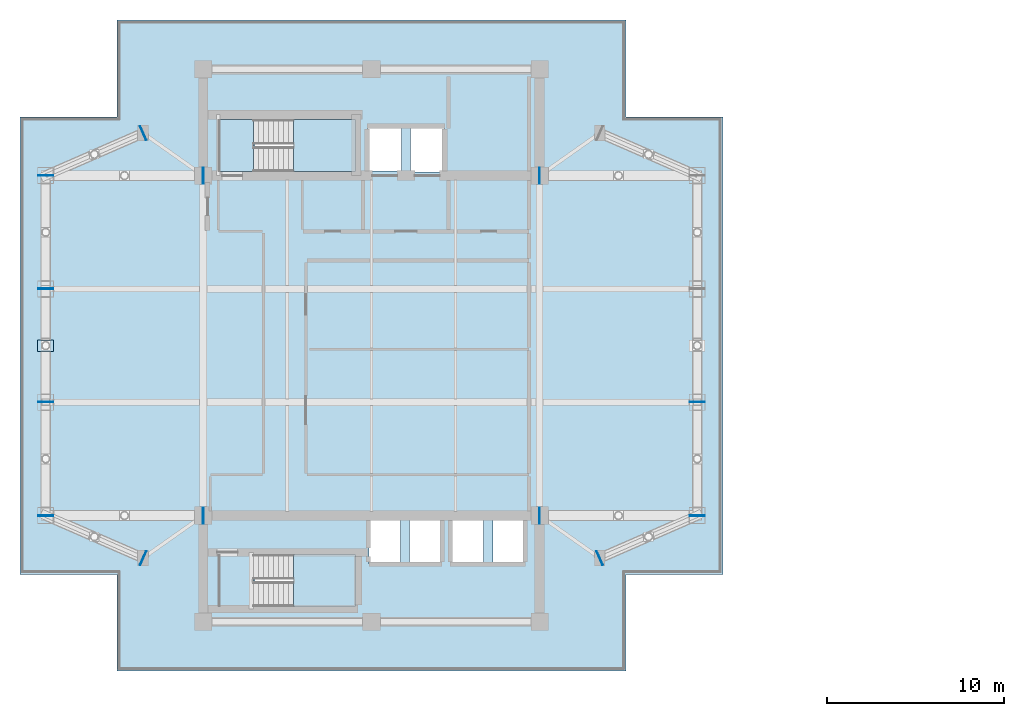
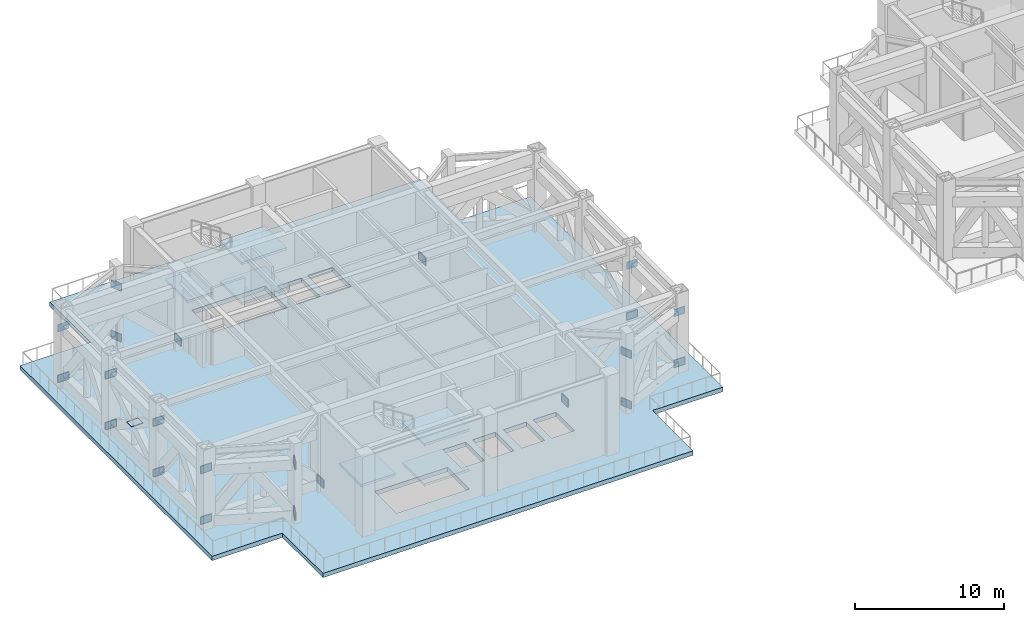
# One storey, part 6 of 18: 23 plates, 7 slabs, 2 elements without a shape of their own.
"""IFC4 building model written with IfcOpenShell, lengths in metres."""

from ifc_helpers import new_model, si_unit, direction, frame, origin, origin_2d, place, context, subcontext, project, spatial, polyline, rectangle, outline, extrude, material, layer, layer_set, type_object, element, aggregate, save


model = new_model("IFC4")

# Units and contexts
model_context = context("Model", 3, precision=1e-05, world=origin(), true_north=direction((0.0, 1.0)))
body_context = subcontext(model_context, "Body", "Model", "MODEL_VIEW")
ifc_project = project(units=[si_unit("LENGTHUNIT", "METRE"), si_unit("AREAUNIT", "SQUARE_METRE"), si_unit("VOLUMEUNIT", "CUBIC_METRE"), si_unit("PLANEANGLEUNIT", "RADIAN"), si_unit("MASSUNIT", "GRAM", prefix="KILO")], contexts=[model_context])

# Site, building, storey
site_placement = place(None, origin())
site = spatial("IfcSite", under=ifc_project, at=site_placement, CompositionType="ELEMENT")
building_placement = place(site_placement, origin())
building = spatial("IfcBuilding", under=site, at=building_placement, Name="Mirazonda Arch Towers", CompositionType="ELEMENT")
storey_placement = place(building_placement, frame((0.0, 0.0, 147.800048828125)))
storey = spatial("IfcBuildingStorey", under=building, at=storey_placement, Name="L42", CompositionType="ELEMENT", Elevation=147.800048828125)

# Plates
ifc_material_1 = material(Name="Steel ASTM A572 Grade 50", Category="steel")
ifc_layer_1 = layer(ifc_material_1, 0.035888671875, Name="PLATE-CAP-850x600x36")
ifc_layer_set_1 = layer_set([ifc_layer_1], Name="Steel ASTM A572 Grade 50")
plate_type_1 = type_object("IfcPlateType", Name="PLATE-CAP-850x600x36", PredefinedType="USERDEFINED", material=ifc_layer_set_1)
for number, where, z_axis, x_axis, name in (
    (1, (2.10009765625, 18.39208984375, 0.25), (0.0, 0.0, 1.0), (0.0, -1.0, 0.0), "Steel end closure plate NP-BLT-L42-T1-BC01A"),
    (2, (2.10009765625, 24.80810546875, 0.25), (0.0, 0.0, 1.0), (0.0, 1.0, 0.0), "Steel end closure plate NP-BLT-L42-T1-BC01B"),
    (3, (2.10009765625, 18.39208984375, 4.419921875), (0.0, 0.0, 1.0), (0.0, -1.0, 0.0), "Steel end closure plate NP-BLT-L42-T1-TC01A"),
    (4, (2.10009765625, 24.80810546875, 4.419921875), (0.0, 0.0, 1.0), (0.0, 1.0, 0.0), "Steel end closure plate NP-BLT-L42-T1-TC01B"),
    (5, (2.10009765625, 31.2080078125, 0.25), (0.0, 0.0, 1.0), (0.0, 1.0, 0.0), "Steel end closure plate NP-BLT-L42-T1-BC02B"),
    (6, (2.10009765625, 31.2080078125, 4.419921875), (0.0, 0.0, 1.0), (0.0, 1.0, 0.0), "Steel end closure plate NP-BLT-L42-T1-TC02B"),
    (7, (2.10009765625, 37.60791015625, 0.25), (0.0, 0.0, 1.0), (0.0, 1.0, 0.0), "Steel end closure plate NP-BLT-L42-T1-BC03B"),
    (8, (2.10009765625, 37.60791015625, 4.419921875), (0.0, 0.0, 1.0), (0.0, 1.0, 0.0), "Steel end closure plate NP-BLT-L42-T1-TC03B"),
    (9, (38.89990234375, 18.39208984375, 0.25), (0.0, 0.0, 1.0), (0.0, -1.0, 0.0), "Steel end closure plate NP-BLT-L42-T1-BC04A"),
    (10, (38.89990234375, 24.80810546875, 0.25), (0.0, 0.0, 1.0), (0.0, 1.0, 0.0), "Steel end closure plate NP-BLT-L42-T1-BC04B"),
    (11, (38.89990234375, 18.39208984375, 4.419921875), (0.0, 0.0, 1.0), (0.0, -1.0, 0.0), "Steel end closure plate NP-BLT-L42-T1-TC04A"),
    (12, (38.89990234375, 24.80810546875, 4.419921875), (0.0, 0.0, 1.0), (0.0, 1.0, 0.0), "Steel end closure plate NP-BLT-L42-T1-TC04B"),
    (13, (7.607421875, 15.996826171875, 0.25), (0.0, 0.0, 1.0), (0.916572226203, -0.399869171297, 0.0), "Steel end closure plate NP-BLT-L42-T1-BC07B"),
    (14, (7.607421875, 15.996826171875, 4.419921875), (0.0, 0.0, 1.0), (0.916572226203, -0.399869171297, 0.0), "Steel end closure plate NP-BLT-L42-T1-TC07B"),
    (15, (33.392578125, 15.996826171875, 0.25), (0.0, 0.0, 1.0), (-0.916572226203, -0.399869171297, 0.0), "Steel end closure plate NP-BLT-L42-T1-BC08A"),
    (16, (33.392578125, 15.996826171875, 4.419921875), (0.0, 0.0, 1.0), (-0.916572226203, -0.399869171297, 0.0), "Steel end closure plate NP-BLT-L42-T1-TC08A"),
    (17, (7.607421875, 40.003173828125, 0.25), (0.0, 0.0, 1.0), (0.916572226203, 0.399869171297, 0.0), "Steel end closure plate NP-BLT-L42-T1-BC09B"),
    (18, (7.607421875, 40.003173828125, 4.419921875), (0.0, 0.0, 1.0), (0.916572226203, 0.399869171297, 0.0), "Steel end closure plate NP-BLT-L42-T1-TC09B"),
):
    element("IfcPlate", number, at=place(storey_placement, frame(where, z_axis=z_axis, x_axis=x_axis)), inside=storey, type_object=plate_type_1, Name=name, ObjectType="CAP PLATE", PredefinedType="USERDEFINED", context=body_context, shape_type="SweptSolid", body=[
        extrude(rectangle(XDim=0.0400390625, YDim=0.85009765625, at=origin_2d()), origin(), (0.0, 0.0, 1.0), 0.60009765625),
    ])
ifc_layer_2 = layer(ifc_material_1, 0.031982421875, Name="PLATE-GUSSET-900x650x32")
ifc_layer_set_2 = layer_set([ifc_layer_2], Name="Steel ASTM A572 Grade 50")
plate_type_2 = type_object("IfcPlateType", Name="PLATE-GUSSET-900x650x32", PredefinedType="USERDEFINED", material=ifc_layer_set_2)
plate_placement = place(storey_placement, frame((2.10009765625, 28.0, 2.623046875), z_axis=(0.0, 0.0, 1.0), x_axis=(1.0, 0.0, 0.0)))
element("IfcPlate", 19, at=plate_placement, inside=storey, type_object=plate_type_2, Name="Steel end closure plate NP-BLT-L42-T1-XND02", ObjectType="GUSSET_PLATE", PredefinedType="USERDEFINED", context=body_context, shape_type="SweptSolid", body=[
    extrude(rectangle(XDim=0.89990234375, YDim=0.64990234375, at=origin_2d()), origin(), (0.0, 0.0, 1.0), 0.0400390625),
])
for number, where, z_axis, x_axis, name in (
    (20, (11.005859375, 18.39990234375, 0.219482421875), (0.0, 0.0, 1.0), (1.0, 0.0, 0.0), "Steel end closure plate NP-OUT-L42-T1-DG01B0"),
    (21, (29.994140625, 18.39990234375, 0.219482421875), (0.0, 0.0, 1.0), (-1.0, 0.0, 0.0), "Steel end closure plate NP-OUT-L42-T1-DG02A0"),
    (22, (11.005859375, 37.60009765625, 0.219482421875), (0.0, 0.0, 1.0), (1.0, 0.0, 0.0), "Steel end closure plate NP-OUT-L42-T1-DG03B0"),
    (23, (29.994140625, 37.60009765625, 0.219482421875), (0.0, 0.0, 1.0), (-1.0, 0.0, 0.0), "Steel end closure plate NP-OUT-L42-T1-DG04A0"),
):
    element("IfcPlate", number, at=place(storey_placement, frame(where, z_axis=z_axis, x_axis=x_axis)), inside=storey, type_object=plate_type_2, Name=name, ObjectType="GUSSET_PLATE", PredefinedType="USERDEFINED", context=body_context, shape_type="SweptSolid", body=[
        extrude(rectangle(XDim=0.0400390625, YDim=0.89990234375, at=origin_2d()), origin(), (0.0, 0.0, 1.0), 0.64990234375),
    ])

# Stair, slabs
ifc_material_2 = material(Name="Concrete C40/50", Category="concrete")
stair_type = type_object("IfcStairType", Name="STAIR-CORE-1400", PredefinedType="HALF_TURN_STAIR", material=ifc_material_2)
stair_1_placement = place(storey_placement, origin())
stair_1 = element("IfcStair", 24, at=stair_1_placement, inside=storey, type_object=stair_type, Name="L42 Protected Exit Stair ST-T1N", PredefinedType="HALF_TURN_STAIR")
ifc_layer_3 = layer(ifc_material_2, 0.18994140625, Name="SLAB-LANDING-190")
ifc_layer_set_3 = layer_set([ifc_layer_3], Name="Concrete C40/50")
slab_type_1 = type_object("IfcSlabType", Name="SLAB-LANDING-190", PredefinedType="LANDING", material=ifc_layer_set_3)
slab_1_placement = place(storey_placement, frame((0.0, 0.0, 1.449951171875)))
slab_1 = element("IfcSlab", 25, at=slab_1_placement, type_object=slab_type_1, Name="ST-T1N landing 1", PredefinedType="LANDING", context=body_context, shape_type="SweptSolid", body=[
    extrude(outline(polyline([(16.090087890625, 37.820068359375), (19.60009765625, 37.820068359375), (19.60009765625, 40.760009765625), (16.090087890625, 40.760009765625), (16.090087890625, 37.820068359375)])), origin(), (0.0, 0.0, 1.0), 0.199951171875),
])
slab_2_placement = place(storey_placement, frame((0.0, 0.0, 3.099853515625)))
slab_2 = element("IfcSlab", 26, at=slab_2_placement, type_object=slab_type_1, Name="ST-T1N landing 2", PredefinedType="LANDING", context=body_context, shape_type="SweptSolid", body=[
    extrude(outline(polyline([(11.85009765625, 37.820068359375), (13.85009765625, 37.820068359375), (13.85009765625, 40.760009765625), (11.85009765625, 40.760009765625), (11.85009765625, 37.820068359375)])), origin(), (0.0, 0.0, 1.0), 0.2001953125),
])
slab_3_placement = place(storey_placement, frame((0.0, 0.0, 4.75)))
slab_3 = element("IfcSlab", 27, at=slab_3_placement, type_object=slab_type_1, Name="ST-T1N landing 3", PredefinedType="LANDING", context=body_context, shape_type="SweptSolid", body=[
    extrude(outline(polyline([(16.090087890625, 37.820068359375), (19.60009765625, 37.820068359375), (19.60009765625, 40.760009765625), (16.090087890625, 40.760009765625), (16.090087890625, 37.820068359375)])), origin(), (0.0, 0.0, 1.0), 0.199951171875),
])
aggregate(stair_1, [slab_1, slab_2, slab_3])

stair_2_placement = place(storey_placement, origin())
stair_2 = element("IfcStair", 28, at=stair_2_placement, inside=storey, type_object=stair_type, Name="L42 Protected Exit Stair ST-T1S", PredefinedType="HALF_TURN_STAIR")
slab_4_placement = place(storey_placement, frame((0.0, 0.0, 1.449951171875)))
slab_4 = element("IfcSlab", 29, at=slab_4_placement, type_object=slab_type_1, Name="ST-T1S landing 1", PredefinedType="LANDING", context=body_context, shape_type="SweptSolid", body=[
    extrude(outline(polyline([(16.090087890625, 13.25), (19.60009765625, 13.25), (19.60009765625, 16.18994140625), (16.090087890625, 16.18994140625), (16.090087890625, 13.25)])), origin(), (0.0, 0.0, 1.0), 0.199951171875),
])
slab_5_placement = place(storey_placement, frame((0.0, 0.0, 3.099853515625)))
slab_5 = element("IfcSlab", 30, at=slab_5_placement, type_object=slab_type_1, Name="ST-T1S landing 2", PredefinedType="LANDING", context=body_context, shape_type="SweptSolid", body=[
    extrude(outline(polyline([(11.179931640625, 13.25), (13.85009765625, 13.25), (13.85009765625, 16.18994140625), (11.179931640625, 16.18994140625), (11.179931640625, 13.25)])), origin(), (0.0, 0.0, 1.0), 0.2001953125),
])
slab_6_placement = place(storey_placement, frame((0.0, 0.0, 4.75)))
slab_6 = element("IfcSlab", 31, at=slab_6_placement, type_object=slab_type_1, Name="ST-T1S landing 3", PredefinedType="LANDING", context=body_context, shape_type="SweptSolid", body=[
    extrude(outline(polyline([(16.090087890625, 13.25), (19.60009765625, 13.25), (19.60009765625, 16.18994140625), (16.090087890625, 16.18994140625), (16.090087890625, 13.25)])), origin(), (0.0, 0.0, 1.0), 0.199951171875),
])
aggregate(stair_2, [slab_4, slab_5, slab_6])

# Slab
ifc_material_3 = material(Name="Concrete C50/60", Category="concrete")
ifc_layer_4 = layer(ifc_material_3, 0.360107421875, Name="SLAB-PORTAL-360")
ifc_layer_set_4 = layer_set([ifc_layer_4], Name="Concrete C50/60")
slab_type_2 = type_object("IfcSlabType", Name="SLAB-PORTAL-360", PredefinedType="FLOOR", material=ifc_layer_set_4)
slab_7_placement = place(storey_placement, frame((0.0, 0.0, -0.360107421875)))
element("IfcSlab", 32, at=slab_7_placement, inside=storey, type_object=slab_type_2, Name="L42 Tower 1 Wind-Portal Deck Slab", PredefinedType="FLOOR", context=body_context, shape_type="SweptSolid", body=[
    extrude(outline(polyline([(6.114990234375, 9.610107421875), (34.885009765625, 9.610107421875), (34.885009765625, 15.074951171875), (40.35009765625, 15.074951171875), (40.35009765625, 40.925048828125), (34.885009765625, 40.925048828125), (34.885009765625, 46.389892578125), (6.114990234375, 46.389892578125), (6.114990234375, 40.925048828125), (0.64990234375, 40.925048828125), (0.64990234375, 15.074951171875), (6.114990234375, 15.074951171875), (6.114990234375, 9.610107421875)]), holes=[polyline([(27.360107421875, 18.139892578125), (29.139892578125, 18.139892578125), (29.139892578125, 15.659912109375), (27.360107421875, 15.659912109375), (27.360107421875, 18.139892578125)]), polyline([(25.06005859375, 18.139892578125), (26.840087890625, 18.139892578125), (26.840087890625, 15.659912109375), (25.06005859375, 15.659912109375), (25.06005859375, 18.139892578125)]), polyline([(22.7099609375, 40.389892578125), (24.590087890625, 40.389892578125), (24.590087890625, 37.81005859375), (22.7099609375, 37.81005859375), (22.7099609375, 40.389892578125)]), polyline([(22.659912109375, 18.139892578125), (24.43994140625, 18.139892578125), (24.43994140625, 15.659912109375), (22.659912109375, 15.659912109375), (22.659912109375, 18.139892578125)]), polyline([(20.31005859375, 40.340087890625), (22.18994140625, 40.340087890625), (22.18994140625, 37.860107421875), (20.31005859375, 37.860107421875), (20.31005859375, 40.340087890625)]), polyline([(20.360107421875, 18.139892578125), (22.139892578125, 18.139892578125), (22.139892578125, 15.659912109375), (20.360107421875, 15.659912109375), (20.360107421875, 18.139892578125)]), polyline([(13.925048828125, 13.25), (13.925048828125, 16.18994140625), (19.60009765625, 16.18994140625), (19.60009765625, 13.25), (13.925048828125, 13.25)]), polyline([(13.925048828125, 37.820068359375), (13.925048828125, 40.760009765625), (19.60009765625, 40.760009765625), (19.60009765625, 37.820068359375), (13.925048828125, 37.820068359375)])]), origin(), (0.0, 0.0, 1.0), 0.360107421875),
])

save(model, "model.ifc")
